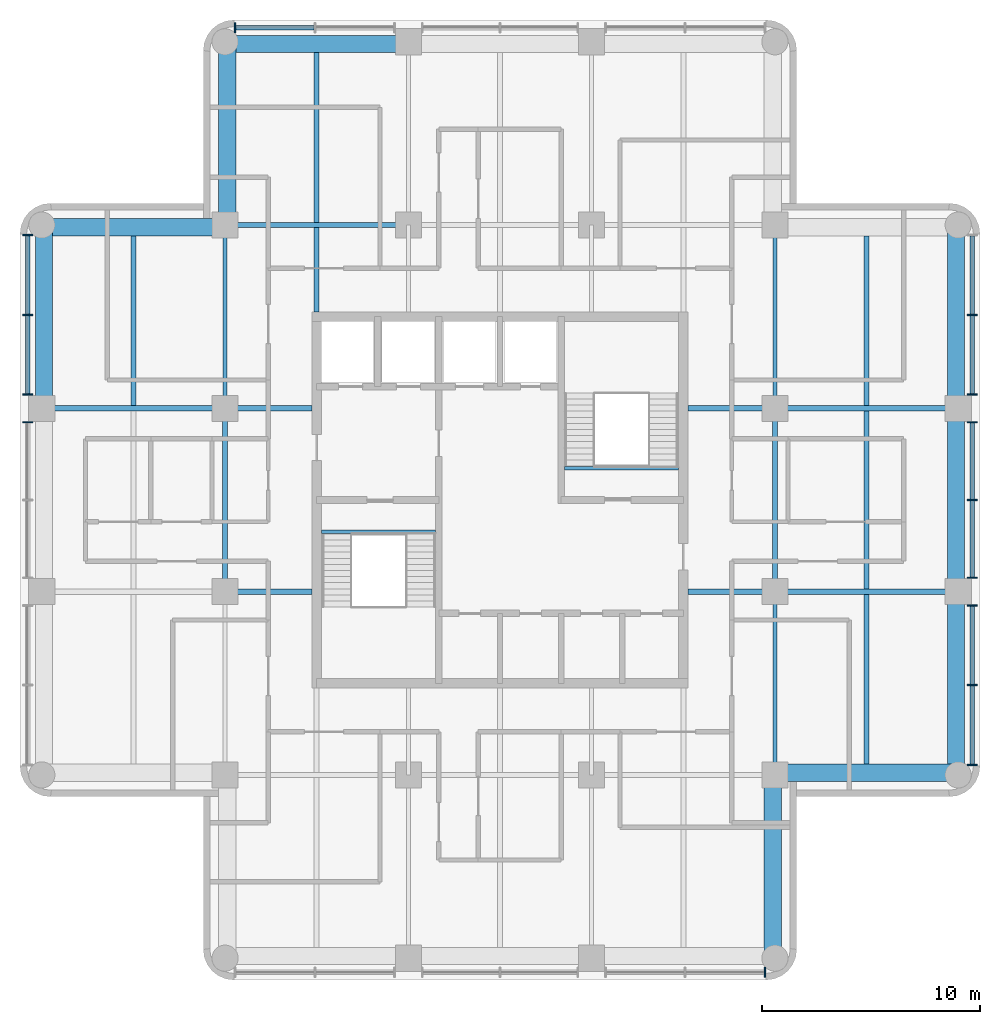
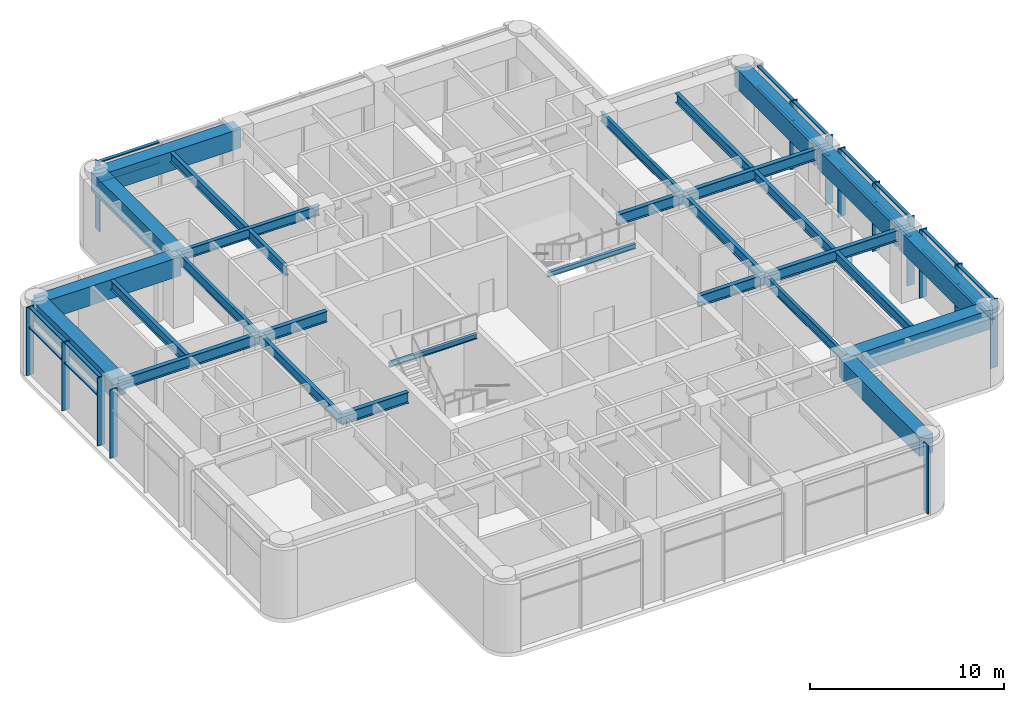
# One storey, part 2 of 8: 32 members, 30 beams, 4 elements without a shape of their own.
"""IFC4 building model written with IfcOpenShell, lengths in metres."""

from ifc_helpers import new_model, si_unit, direction, frame, origin, origin_2d, place, context, subcontext, project, spatial, rectangle, i_section, extrude, material, material_profile, profile_set, type_object, element, aggregate, save


model = new_model("IFC4")

# Units and contexts
model_context = context("Model", 3, precision=1e-05, world=origin(), true_north=direction((0.0, 1.0)))
body_context = subcontext(model_context, "Body", "Model", "MODEL_VIEW")
ifc_project = project(units=[si_unit("LENGTHUNIT", "METRE"), si_unit("AREAUNIT", "SQUARE_METRE"), si_unit("VOLUMEUNIT", "CUBIC_METRE"), si_unit("PLANEANGLEUNIT", "RADIAN"), si_unit("MASSUNIT", "GRAM", prefix="KILO")], contexts=[model_context])

# Site, building, storey
site_placement = place(None, origin())
site = spatial("IfcSite", under=ifc_project, at=site_placement, CompositionType="ELEMENT")
building_placement = place(site_placement, origin())
building = spatial("IfcBuilding", under=site, at=building_placement, Name="Torre Alcanfor", CompositionType="ELEMENT")
storey_placement = place(building_placement, frame((0.0, 0.0, 305.39990234375)))
storey = spatial("IfcBuildingStorey", under=building, at=storey_placement, Name="L80", CompositionType="ELEMENT", Elevation=305.39990234375)

# Curtain wall, members
ifc_material_1 = material(Name="Aluminium and glass", Category="aluminium")
curtain_wall_type = type_object("IfcCurtainWallType", Name="CW-E crown screen", PredefinedType="NOTDEFINED", material=ifc_material_1)
curtain_wall_1_placement = place(storey_placement, origin())
curtain_wall_1 = element("IfcCurtainWall", 1, at=curtain_wall_1_placement, inside=storey, type_object=curtain_wall_type, Name="Curtain wall CW-E L80 2", PredefinedType="NOTDEFINED")
ifc_material_2 = material(Name="Bronze anodised aluminium", Category="aluminium")
ifc_material_profile_1 = material_profile(ifc_material_2, rectangle(XDim=0.449951171875, YDim=0.06494140625, at=origin_2d()), Name="CW-E mullion 65x450")
ifc_profile_set_1 = profile_set([ifc_material_profile_1], Name="Bronze anodised aluminium")
member_type_1 = type_object("IfcMemberType", Name="CW-E mullion with vertical FIN 65x450", PredefinedType="MULLION", material=ifc_profile_set_1)
member_1_placement = place(storey_placement, frame((7.75, 41.537109375, 0.0), z_axis=(0.0, 0.0, 1.0), x_axis=(1.0, 0.0, 0.0)))
member_1 = element("IfcMember", 2, at=member_1_placement, type_object=member_type_1, Name="CW-E mullion 1.1", PredefinedType="MULLION", context=body_context, shape_type="SweptSolid", body=[
    extrude(rectangle(XDim=0.449951171875, YDim=0.06494140625, at=origin_2d()), origin(), (0.0, 0.0, 1.0), 4.300048828125),
])
member_2_placement = place(storey_placement, frame((7.75, 37.88720703125, 0.0), z_axis=(0.0, 0.0, 1.0), x_axis=(1.0, 0.0, 0.0)))
member_2 = element("IfcMember", 3, at=member_2_placement, type_object=member_type_1, Name="CW-E mullion 1.2", PredefinedType="MULLION", context=body_context, shape_type="SweptSolid", body=[
    extrude(rectangle(XDim=0.449951171875, YDim=0.06494140625, at=origin_2d()), origin(), (0.0, 0.0, 1.0), 4.300048828125),
])
member_3_placement = place(storey_placement, frame((7.75, 34.237548828125, 0.0), z_axis=(0.0, 0.0, 1.0), x_axis=(1.0, 0.0, 0.0)))
member_3 = element("IfcMember", 4, at=member_3_placement, type_object=member_type_1, Name="CW-E mullion 1.3", PredefinedType="MULLION", context=body_context, shape_type="SweptSolid", body=[
    extrude(rectangle(XDim=0.449951171875, YDim=0.06494140625, at=origin_2d()), origin(), (0.0, 0.0, 1.0), 4.300048828125),
])
member_4_placement = place(storey_placement, frame((7.75, 32.96240234375, 0.0), z_axis=(0.0, 0.0, 1.0), x_axis=(1.0, 0.0, 0.0)))
member_4 = element("IfcMember", 5, at=member_4_placement, type_object=member_type_1, Name="CW-E mullion 2.1", PredefinedType="MULLION", context=body_context, shape_type="SweptSolid", body=[
    extrude(rectangle(XDim=0.449951171875, YDim=0.06494140625, at=origin_2d()), origin(), (0.0, 0.0, 1.0), 4.300048828125),
])

# Curtain wall, member
curtain_wall_2_placement = place(storey_placement, origin())
curtain_wall_2 = element("IfcCurtainWall", 6, at=curtain_wall_2_placement, inside=storey, type_object=curtain_wall_type, Name="Curtain wall CW-E L80 5", PredefinedType="NOTDEFINED")
member_5_placement = place(storey_placement, frame((41.537109375, 7.75, 0.0), z_axis=(0.0, 0.0, 1.0), x_axis=(0.0, 1.0, 0.0)))
member_5 = element("IfcMember", 7, at=member_5_placement, type_object=member_type_1, Name="CW-E mullion 3.3", PredefinedType="MULLION", context=body_context, shape_type="SweptSolid", body=[
    extrude(rectangle(XDim=0.449951171875, YDim=0.06494140625, at=origin_2d()), origin(), (0.0, 0.0, 1.0), 4.300048828125),
])
aggregate(curtain_wall_2, [member_5])

# Curtain wall, members
curtain_wall_3_placement = place(storey_placement, origin())
curtain_wall_3 = element("IfcCurtainWall", 8, at=curtain_wall_3_placement, inside=storey, type_object=curtain_wall_type, Name="Curtain wall CW-E L80 8", PredefinedType="NOTDEFINED")
member_6_placement = place(storey_placement, frame((51.050048828125, 17.262939453125, 0.0), z_axis=(0.0, 0.0, 1.0), x_axis=(-1.0, 0.0, 0.0)))
member_6 = element("IfcMember", 9, at=member_6_placement, type_object=member_type_1, Name="CW-E mullion 1.1", PredefinedType="MULLION", context=body_context, shape_type="SweptSolid", body=[
    extrude(rectangle(XDim=0.449951171875, YDim=0.06494140625, at=origin_2d()), origin(), (0.0, 0.0, 1.0), 4.300048828125),
])
member_7_placement = place(storey_placement, frame((51.050048828125, 20.912841796875, 0.0), z_axis=(0.0, 0.0, 1.0), x_axis=(-1.0, 0.0, 0.0)))
member_7 = element("IfcMember", 10, at=member_7_placement, type_object=member_type_1, Name="CW-E mullion 1.2", PredefinedType="MULLION", context=body_context, shape_type="SweptSolid", body=[
    extrude(rectangle(XDim=0.449951171875, YDim=0.06494140625, at=origin_2d()), origin(), (0.0, 0.0, 1.0), 4.300048828125),
])
member_8_placement = place(storey_placement, frame((51.050048828125, 24.5625, 0.0), z_axis=(0.0, 0.0, 1.0), x_axis=(-1.0, 0.0, 0.0)))
member_8 = element("IfcMember", 11, at=member_8_placement, type_object=member_type_1, Name="CW-E mullion 1.3", PredefinedType="MULLION", context=body_context, shape_type="SweptSolid", body=[
    extrude(rectangle(XDim=0.449951171875, YDim=0.06494140625, at=origin_2d()), origin(), (0.0, 0.0, 1.0), 4.300048828125),
])
member_9_placement = place(storey_placement, frame((51.050048828125, 25.83740234375, 0.0), z_axis=(0.0, 0.0, 1.0), x_axis=(-1.0, 0.0, 0.0)))
member_9 = element("IfcMember", 12, at=member_9_placement, type_object=member_type_1, Name="CW-E mullion 2.1", PredefinedType="MULLION", context=body_context, shape_type="SweptSolid", body=[
    extrude(rectangle(XDim=0.449951171875, YDim=0.06494140625, at=origin_2d()), origin(), (0.0, 0.0, 1.0), 4.300048828125),
])
member_10_placement = place(storey_placement, frame((51.050048828125, 29.39990234375, 0.0), z_axis=(0.0, 0.0, 1.0), x_axis=(-1.0, 0.0, 0.0)))
member_10 = element("IfcMember", 13, at=member_10_placement, type_object=member_type_1, Name="CW-E mullion 2.2", PredefinedType="MULLION", context=body_context, shape_type="SweptSolid", body=[
    extrude(rectangle(XDim=0.449951171875, YDim=0.06494140625, at=origin_2d()), origin(), (0.0, 0.0, 1.0), 4.300048828125),
])
member_11_placement = place(storey_placement, frame((51.050048828125, 32.96240234375, 0.0), z_axis=(0.0, 0.0, 1.0), x_axis=(-1.0, 0.0, 0.0)))
member_11 = element("IfcMember", 14, at=member_11_placement, type_object=member_type_1, Name="CW-E mullion 2.3", PredefinedType="MULLION", context=body_context, shape_type="SweptSolid", body=[
    extrude(rectangle(XDim=0.449951171875, YDim=0.06494140625, at=origin_2d()), origin(), (0.0, 0.0, 1.0), 4.300048828125),
])
member_12_placement = place(storey_placement, frame((51.050048828125, 34.237548828125, 0.0), z_axis=(0.0, 0.0, 1.0), x_axis=(-1.0, 0.0, 0.0)))
member_12 = element("IfcMember", 15, at=member_12_placement, type_object=member_type_1, Name="CW-E mullion 3.1", PredefinedType="MULLION", context=body_context, shape_type="SweptSolid", body=[
    extrude(rectangle(XDim=0.449951171875, YDim=0.06494140625, at=origin_2d()), origin(), (0.0, 0.0, 1.0), 4.300048828125),
])
member_13_placement = place(storey_placement, frame((51.050048828125, 37.88720703125, 0.0), z_axis=(0.0, 0.0, 1.0), x_axis=(-1.0, 0.0, 0.0)))
member_13 = element("IfcMember", 16, at=member_13_placement, type_object=member_type_1, Name="CW-E mullion 3.2", PredefinedType="MULLION", context=body_context, shape_type="SweptSolid", body=[
    extrude(rectangle(XDim=0.449951171875, YDim=0.06494140625, at=origin_2d()), origin(), (0.0, 0.0, 1.0), 4.300048828125),
])

# Curtain wall, member
curtain_wall_4_placement = place(storey_placement, origin())
curtain_wall_4 = element("IfcCurtainWall", 17, at=curtain_wall_4_placement, inside=storey, type_object=curtain_wall_type, Name="Curtain wall CW-E L80 11", PredefinedType="NOTDEFINED")
member_14_placement = place(storey_placement, frame((17.262939453125, 51.050048828125, 0.0), z_axis=(0.0, 0.0, 1.0), x_axis=(0.0, -1.0, 0.0)))
member_14 = element("IfcMember", 18, at=member_14_placement, type_object=member_type_1, Name="CW-E mullion 3.3", PredefinedType="MULLION", context=body_context, shape_type="SweptSolid", body=[
    extrude(rectangle(XDim=0.449951171875, YDim=0.06494140625, at=origin_2d()), origin(), (0.0, 0.0, 1.0), 4.300048828125),
])

# Member
ifc_material_3 = material(Name="Extruded aluminium", Category="aluminium")
ifc_material_profile_2 = material_profile(ifc_material_3, rectangle(XDim=0.199951171875, YDim=0.06494140625, at=origin_2d()), Name="CW-E transom 200x65")
ifc_profile_set_2 = profile_set([ifc_material_profile_2], Name="Extruded aluminium")
member_type_2 = type_object("IfcMemberType", Name="CW-E transom 65x200", PredefinedType="USERDEFINED", material=ifc_profile_set_2)
member_15_placement = place(storey_placement, frame((7.75, 41.50439453125, 3.0), z_axis=(0.0, -1.0, 0.0), x_axis=(1.0, 0.0, 0.0)))
member_15 = element("IfcMember", 19, at=member_15_placement, type_object=member_type_2, Name="CW-E transom 1.1.2", ObjectType="TRANSOM", PredefinedType="USERDEFINED", context=body_context, shape_type="SweptSolid", body=[
    extrude(rectangle(XDim=0.199951171875, YDim=0.06494140625, at=origin_2d()), origin(), (0.0, 0.0, 1.0), 3.584716796875),
])

member_16_placement = place(storey_placement, frame((7.75, 41.50439453125, 4.267578125), z_axis=(0.0, -1.0, 0.0), x_axis=(1.0, 0.0, 0.0)))
member_16 = element("IfcMember", 20, at=member_16_placement, type_object=member_type_2, Name="CW-E transom 1.1.3", ObjectType="TRANSOM", PredefinedType="USERDEFINED", context=body_context, shape_type="SweptSolid", body=[
    extrude(rectangle(XDim=0.199951171875, YDim=0.06494140625, at=origin_2d()), origin(), (0.0, 0.0, 1.0), 3.584716796875),
])

member_17_placement = place(storey_placement, frame((7.75, 37.854736328125, 3.0), z_axis=(0.0, -1.0, 0.0), x_axis=(1.0, 0.0, 0.0)))
member_17 = element("IfcMember", 21, at=member_17_placement, type_object=member_type_2, Name="CW-E transom 1.2.2", ObjectType="TRANSOM", PredefinedType="USERDEFINED", context=body_context, shape_type="SweptSolid", body=[
    extrude(rectangle(XDim=0.199951171875, YDim=0.06494140625, at=origin_2d()), origin(), (0.0, 0.0, 1.0), 3.584716796875),
])

member_18_placement = place(storey_placement, frame((7.75, 37.854736328125, 4.267578125), z_axis=(0.0, -1.0, 0.0), x_axis=(1.0, 0.0, 0.0)))
member_18 = element("IfcMember", 22, at=member_18_placement, type_object=member_type_2, Name="CW-E transom 1.2.3", ObjectType="TRANSOM", PredefinedType="USERDEFINED", context=body_context, shape_type="SweptSolid", body=[
    extrude(rectangle(XDim=0.199951171875, YDim=0.06494140625, at=origin_2d()), origin(), (0.0, 0.0, 1.0), 3.584716796875),
])

aggregate(curtain_wall_1, [member_1, member_2, member_3, member_15, member_16, member_17, member_18, member_4])

member_19_placement = place(storey_placement, frame((51.050048828125, 17.29541015625, 3.0), z_axis=(0.0, 1.0, 0.0), x_axis=(-1.0, 0.0, 0.0)))
member_19 = element("IfcMember", 23, at=member_19_placement, type_object=member_type_2, Name="CW-E transom 1.1.2", ObjectType="TRANSOM", PredefinedType="USERDEFINED", context=body_context, shape_type="SweptSolid", body=[
    extrude(rectangle(XDim=0.199951171875, YDim=0.06494140625, at=origin_2d()), origin(), (0.0, 0.0, 1.0), 3.5849609375),
])

member_20_placement = place(storey_placement, frame((51.050048828125, 17.29541015625, 4.267578125), z_axis=(0.0, 1.0, 0.0), x_axis=(-1.0, 0.0, 0.0)))
member_20 = element("IfcMember", 24, at=member_20_placement, type_object=member_type_2, Name="CW-E transom 1.1.3", ObjectType="TRANSOM", PredefinedType="USERDEFINED", context=body_context, shape_type="SweptSolid", body=[
    extrude(rectangle(XDim=0.199951171875, YDim=0.06494140625, at=origin_2d()), origin(), (0.0, 0.0, 1.0), 3.5849609375),
])

member_21_placement = place(storey_placement, frame((51.050048828125, 20.9453125, 3.0), z_axis=(0.0, 1.0, 0.0), x_axis=(-1.0, 0.0, 0.0)))
member_21 = element("IfcMember", 25, at=member_21_placement, type_object=member_type_2, Name="CW-E transom 1.2.2", ObjectType="TRANSOM", PredefinedType="USERDEFINED", context=body_context, shape_type="SweptSolid", body=[
    extrude(rectangle(XDim=0.199951171875, YDim=0.06494140625, at=origin_2d()), origin(), (0.0, 0.0, 1.0), 3.584716796875),
])

member_22_placement = place(storey_placement, frame((51.050048828125, 20.9453125, 4.267578125), z_axis=(0.0, 1.0, 0.0), x_axis=(-1.0, 0.0, 0.0)))
member_22 = element("IfcMember", 26, at=member_22_placement, type_object=member_type_2, Name="CW-E transom 1.2.3", ObjectType="TRANSOM", PredefinedType="USERDEFINED", context=body_context, shape_type="SweptSolid", body=[
    extrude(rectangle(XDim=0.199951171875, YDim=0.06494140625, at=origin_2d()), origin(), (0.0, 0.0, 1.0), 3.584716796875),
])

member_23_placement = place(storey_placement, frame((51.050048828125, 25.8701171875, 3.0), z_axis=(0.0, 1.0, 0.0), x_axis=(-1.0, 0.0, 0.0)))
member_23 = element("IfcMember", 27, at=member_23_placement, type_object=member_type_2, Name="CW-E transom 2.1.2", ObjectType="TRANSOM", PredefinedType="USERDEFINED", context=body_context, shape_type="SweptSolid", body=[
    extrude(rectangle(XDim=0.199951171875, YDim=0.06494140625, at=origin_2d()), origin(), (0.0, 0.0, 1.0), 3.497314453125),
])

member_24_placement = place(storey_placement, frame((51.050048828125, 25.8701171875, 4.267578125), z_axis=(0.0, 1.0, 0.0), x_axis=(-1.0, 0.0, 0.0)))
member_24 = element("IfcMember", 28, at=member_24_placement, type_object=member_type_2, Name="CW-E transom 2.1.3", ObjectType="TRANSOM", PredefinedType="USERDEFINED", context=body_context, shape_type="SweptSolid", body=[
    extrude(rectangle(XDim=0.199951171875, YDim=0.06494140625, at=origin_2d()), origin(), (0.0, 0.0, 1.0), 3.497314453125),
])

member_25_placement = place(storey_placement, frame((51.050048828125, 29.4326171875, 3.0), z_axis=(0.0, 1.0, 0.0), x_axis=(-1.0, 0.0, 0.0)))
member_25 = element("IfcMember", 29, at=member_25_placement, type_object=member_type_2, Name="CW-E transom 2.2.2", ObjectType="TRANSOM", PredefinedType="USERDEFINED", context=body_context, shape_type="SweptSolid", body=[
    extrude(rectangle(XDim=0.199951171875, YDim=0.06494140625, at=origin_2d()), origin(), (0.0, 0.0, 1.0), 3.497314453125),
])

member_26_placement = place(storey_placement, frame((51.050048828125, 29.4326171875, 4.267578125), z_axis=(0.0, 1.0, 0.0), x_axis=(-1.0, 0.0, 0.0)))
member_26 = element("IfcMember", 30, at=member_26_placement, type_object=member_type_2, Name="CW-E transom 2.2.3", ObjectType="TRANSOM", PredefinedType="USERDEFINED", context=body_context, shape_type="SweptSolid", body=[
    extrude(rectangle(XDim=0.199951171875, YDim=0.06494140625, at=origin_2d()), origin(), (0.0, 0.0, 1.0), 3.497314453125),
])

member_27_placement = place(storey_placement, frame((51.050048828125, 34.27001953125, 3.0), z_axis=(0.0, 1.0, 0.0), x_axis=(-1.0, 0.0, 0.0)))
member_27 = element("IfcMember", 31, at=member_27_placement, type_object=member_type_2, Name="CW-E transom 3.1.2", ObjectType="TRANSOM", PredefinedType="USERDEFINED", context=body_context, shape_type="SweptSolid", body=[
    extrude(rectangle(XDim=0.199951171875, YDim=0.06494140625, at=origin_2d()), origin(), (0.0, 0.0, 1.0), 3.584716796875),
])

member_28_placement = place(storey_placement, frame((51.050048828125, 34.27001953125, 4.267578125), z_axis=(0.0, 1.0, 0.0), x_axis=(-1.0, 0.0, 0.0)))
member_28 = element("IfcMember", 32, at=member_28_placement, type_object=member_type_2, Name="CW-E transom 3.1.3", ObjectType="TRANSOM", PredefinedType="USERDEFINED", context=body_context, shape_type="SweptSolid", body=[
    extrude(rectangle(XDim=0.199951171875, YDim=0.06494140625, at=origin_2d()), origin(), (0.0, 0.0, 1.0), 3.584716796875),
])

member_29_placement = place(storey_placement, frame((51.050048828125, 37.919677734375, 3.0), z_axis=(0.0, 1.0, 0.0), x_axis=(-1.0, 0.0, 0.0)))
member_29 = element("IfcMember", 33, at=member_29_placement, type_object=member_type_2, Name="CW-E transom 3.2.2", ObjectType="TRANSOM", PredefinedType="USERDEFINED", context=body_context, shape_type="SweptSolid", body=[
    extrude(rectangle(XDim=0.199951171875, YDim=0.06494140625, at=origin_2d()), origin(), (0.0, 0.0, 1.0), 3.584716796875),
])

member_30_placement = place(storey_placement, frame((51.050048828125, 37.919677734375, 4.267578125), z_axis=(0.0, 1.0, 0.0), x_axis=(-1.0, 0.0, 0.0)))
member_30 = element("IfcMember", 34, at=member_30_placement, type_object=member_type_2, Name="CW-E transom 3.2.3", ObjectType="TRANSOM", PredefinedType="USERDEFINED", context=body_context, shape_type="SweptSolid", body=[
    extrude(rectangle(XDim=0.199951171875, YDim=0.06494140625, at=origin_2d()), origin(), (0.0, 0.0, 1.0), 3.584716796875),
])

aggregate(curtain_wall_3, [member_6, member_7, member_8, member_19, member_20, member_21, member_22, member_9, member_10, member_11, member_23, member_24, member_25, member_26, member_12, member_13, member_27, member_28, member_29, member_30])

member_31_placement = place(storey_placement, frame((20.88037109375, 51.050048828125, 3.0), z_axis=(-1.0, 0.0, 0.0), x_axis=(0.0, -1.0, 0.0)))
member_31 = element("IfcMember", 35, at=member_31_placement, type_object=member_type_2, Name="CW-E transom 3.2.2", ObjectType="TRANSOM", PredefinedType="USERDEFINED", context=body_context, shape_type="SweptSolid", body=[
    extrude(rectangle(XDim=0.199951171875, YDim=0.06494140625, at=origin_2d()), origin(), (0.0, 0.0, 1.0), 3.5849609375),
])

member_32_placement = place(storey_placement, frame((20.88037109375, 51.050048828125, 4.267578125), z_axis=(-1.0, 0.0, 0.0), x_axis=(0.0, -1.0, 0.0)))
member_32 = element("IfcMember", 36, at=member_32_placement, type_object=member_type_2, Name="CW-E transom 3.2.3", ObjectType="TRANSOM", PredefinedType="USERDEFINED", context=body_context, shape_type="SweptSolid", body=[
    extrude(rectangle(XDim=0.199951171875, YDim=0.06494140625, at=origin_2d()), origin(), (0.0, 0.0, 1.0), 3.5849609375),
])

aggregate(curtain_wall_4, [member_14, member_31, member_32])

# Beams
ifc_material_4 = material(Name="Steel ASTM A992 Grade 50", Category="steel")
ifc_material_profile_3 = material_profile(ifc_material_4, i_section(OverallWidth=0.177978515625, OverallDepth=0.599365234375, WebThickness=0.010009765625, FlangeThickness=0.012939453125, at=origin_2d()), Name="W24x55")
ifc_profile_set_3 = profile_set([ifc_material_profile_3], Name="Steel ASTM A992 Grade 50")
beam_type_1 = type_object("IfcBeamType", Name="Girder W24x55", PredefinedType="BEAM", material=ifc_profile_set_3)
for number, where, z_axis, x_axis, name in (
    (37, (16.800048828125, 33.60009765625, 4.00048828125), (0.0, 1.0, 0.0), (-1.0, 0.0, 0.0), "Beam 3G-3H under RF"),
    (38, (42.0, 16.800048828125, 4.00048828125), (0.0, 1.0, 0.0), (-1.0, 0.0, 0.0), "Beam 6E-6F under RF"),
    (39, (42.0, 33.60009765625, 4.00048828125), (0.0, 1.0, 0.0), (-1.0, 0.0, 0.0), "Beam 6G-6H under RF"),
):
    element("IfcBeam", number, at=place(storey_placement, frame(where, z_axis=z_axis, x_axis=x_axis)), inside=storey, type_object=beam_type_1, Name=name, PredefinedType="BEAM", context=body_context, shape_type="SweptSolid", body=[
        extrude(i_section(OverallWidth=0.177978515625, OverallDepth=0.599365234375, WebThickness=0.010009765625, FlangeThickness=0.012939453125, at=origin_2d()), origin(), (0.0, 0.0, 1.0), 8.39990234375),
    ])
ifc_material_5 = material(Name="Steel ASTM A992 Grade 50", Category="steel")
ifc_material_profile_4 = material_profile(ifc_material_5, i_section(OverallWidth=0.228271484375, OverallDepth=0.607177734375, WebThickness=0.01123046875, FlangeThickness=0.017333984375, at=origin_2d()), Name="W24x76")
ifc_profile_set_4 = profile_set([ifc_material_profile_4], Name="Steel ASTM A992 Grade 50")
beam_type_2 = type_object("IfcBeamType", Name="Girder W24x76", PredefinedType="BEAM", material=ifc_profile_set_4)
beam_1_placement = place(storey_placement, frame((16.800048828125, 42.0, 3.99658203125), z_axis=(1.0, 0.0, 0.0), x_axis=(0.0, 1.0, 0.0)))
element("IfcBeam", 40, at=beam_1_placement, inside=storey, type_object=beam_type_2, Name="Beam 3H-4H under RF", PredefinedType="BEAM", context=body_context, shape_type="SweptSolid", body=[
    extrude(i_section(OverallWidth=0.228271484375, OverallDepth=0.607177734375, WebThickness=0.01123046875, FlangeThickness=0.017333984375, at=origin_2d()), origin(), (0.0, 0.0, 1.0), 8.39990234375),
])
for number, where, z_axis, x_axis, name in (
    (41, (16.800048828125, 25.199951171875, 3.99658203125), (0.0, 1.0, 0.0), (-1.0, 0.0, 0.0), "Beam 3F-3G under RF"),
    (42, (42.0, 25.199951171875, 3.99658203125), (0.0, 1.0, 0.0), (-1.0, 0.0, 0.0), "Beam 6F-6G under RF"),
):
    element("IfcBeam", number, at=place(storey_placement, frame(where, z_axis=z_axis, x_axis=x_axis)), inside=storey, type_object=beam_type_2, Name=name, PredefinedType="BEAM", context=body_context, shape_type="SweptSolid", body=[
        extrude(i_section(OverallWidth=0.228271484375, OverallDepth=0.607177734375, WebThickness=0.01123046875, FlangeThickness=0.017333984375, at=origin_2d()), origin(), (0.0, 0.0, 1.0), 8.400146484375),
    ])
ifc_material_6 = material(Name="Steel ASTM A992 Grade 50", Category="steel")
ifc_material_profile_5 = material_profile(ifc_material_6, i_section(OverallWidth=0.25390625, OverallDepth=0.683349609375, WebThickness=0.012451171875, FlangeThickness=0.01904296875, at=origin_2d()), Name="W27x94")
ifc_profile_set_5 = profile_set([ifc_material_profile_5], Name="Steel ASTM A992 Grade 50")
beam_type_3 = type_object("IfcBeamType", Name="Girder W27x94", PredefinedType="BEAM", material=ifc_profile_set_5)
beam_2_placement = place(storey_placement, frame((42.0, 25.199951171875, 3.95849609375), z_axis=(1.0, 0.0, 0.0), x_axis=(0.0, 1.0, 0.0)))
element("IfcBeam", 43, at=beam_2_placement, inside=storey, type_object=beam_type_3, Name="Beam 6F-7F under RF", PredefinedType="BEAM", context=body_context, shape_type="SweptSolid", body=[
    extrude(i_section(OverallWidth=0.25390625, OverallDepth=0.683349609375, WebThickness=0.012451171875, FlangeThickness=0.01904296875, at=origin_2d()), origin(), (0.0, 0.0, 1.0), 8.39990234375),
])
beam_3_placement = place(storey_placement, frame((8.39990234375, 33.60009765625, 3.95849609375), z_axis=(1.0, 0.0, 0.0), x_axis=(0.0, 1.0, 0.0)))
element("IfcBeam", 44, at=beam_3_placement, inside=storey, type_object=beam_type_3, Name="Beam 2G-3G under RF", PredefinedType="BEAM", context=body_context, shape_type="SweptSolid", body=[
    extrude(i_section(OverallWidth=0.25390625, OverallDepth=0.683349609375, WebThickness=0.012451171875, FlangeThickness=0.01904296875, at=origin_2d()), origin(), (0.0, 0.0, 1.0), 8.400146484375),
])
beam_4_placement = place(storey_placement, frame((42.0, 33.60009765625, 3.95849609375), z_axis=(1.0, 0.0, 0.0), x_axis=(0.0, 1.0, 0.0)))
element("IfcBeam", 45, at=beam_4_placement, inside=storey, type_object=beam_type_3, Name="Beam 6G-7G under RF", PredefinedType="BEAM", context=body_context, shape_type="SweptSolid", body=[
    extrude(i_section(OverallWidth=0.25390625, OverallDepth=0.683349609375, WebThickness=0.012451171875, FlangeThickness=0.01904296875, at=origin_2d()), origin(), (0.0, 0.0, 1.0), 8.39990234375),
])
ifc_material_7 = material(Name="Steel ASTM A992 Grade 50", Category="steel")
ifc_material_profile_6 = material_profile(ifc_material_7, i_section(OverallWidth=0.25390625, OverallDepth=0.683349609375, WebThickness=0.012451171875, FlangeThickness=0.01904296875, at=origin_2d()), Name="W27x94")
ifc_profile_set_6 = profile_set([ifc_material_profile_6], Name="Steel ASTM A992 Grade 50")
beam_type_4 = type_object("IfcBeamType", Name="Girder, part bay W27x94", PredefinedType="BEAM", material=ifc_profile_set_6)
beam_5_placement = place(storey_placement, frame((16.800048828125, 25.199951171875, 3.95849609375), z_axis=(1.0, 0.0, 0.0), x_axis=(0.0, 1.0, 0.0)))
element("IfcBeam", 46, at=beam_5_placement, inside=storey, type_object=beam_type_4, Name="Beam 3F-20_775F under RF", PredefinedType="BEAM", context=body_context, shape_type="SweptSolid", body=[
    extrude(i_section(OverallWidth=0.25390625, OverallDepth=0.683349609375, WebThickness=0.012451171875, FlangeThickness=0.01904296875, at=origin_2d()), origin(), (0.0, 0.0, 1.0), 3.974853515625),
])
beam_6_placement = place(storey_placement, frame((42.0, 25.199951171875, 3.95849609375), z_axis=(-1.0, 0.0, 0.0), x_axis=(0.0, -1.0, 0.0)))
element("IfcBeam", 47, at=beam_6_placement, inside=storey, type_object=beam_type_4, Name="Beam 6F-38_025F under RF", PredefinedType="BEAM", context=body_context, shape_type="SweptSolid", body=[
    extrude(i_section(OverallWidth=0.25390625, OverallDepth=0.683349609375, WebThickness=0.012451171875, FlangeThickness=0.01904296875, at=origin_2d()), origin(), (0.0, 0.0, 1.0), 3.97509765625),
])
beam_7_placement = place(storey_placement, frame((16.800048828125, 33.60009765625, 3.95849609375), z_axis=(1.0, 0.0, 0.0), x_axis=(0.0, 1.0, 0.0)))
element("IfcBeam", 48, at=beam_7_placement, inside=storey, type_object=beam_type_4, Name="Beam 3G-20_775G under RF", PredefinedType="BEAM", context=body_context, shape_type="SweptSolid", body=[
    extrude(i_section(OverallWidth=0.25390625, OverallDepth=0.683349609375, WebThickness=0.012451171875, FlangeThickness=0.01904296875, at=origin_2d()), origin(), (0.0, 0.0, 1.0), 3.974853515625),
])
beam_8_placement = place(storey_placement, frame((42.0, 33.60009765625, 3.95849609375), z_axis=(-1.0, 0.0, 0.0), x_axis=(0.0, -1.0, 0.0)))
element("IfcBeam", 49, at=beam_8_placement, inside=storey, type_object=beam_type_4, Name="Beam 6G-38_025G under RF", PredefinedType="BEAM", context=body_context, shape_type="SweptSolid", body=[
    extrude(i_section(OverallWidth=0.25390625, OverallDepth=0.683349609375, WebThickness=0.012451171875, FlangeThickness=0.01904296875, at=origin_2d()), origin(), (0.0, 0.0, 1.0), 3.97509765625),
])
ifc_material_8 = material(Name="Concrete f'c 70 MPa", Category="concrete")
ifc_material_profile_7 = material_profile(ifc_material_8, rectangle(XDim=0.800048828125, YDim=1.199951171875, at=origin_2d()), Name="800x1200")
ifc_profile_set_7 = profile_set([ifc_material_profile_7], Name="Concrete f'c 70 MPa")
beam_type_5 = type_object("IfcBeamType", Name="RC perimeter beam 800x1200", PredefinedType="BEAM", material=ifc_profile_set_7)
beam_9_placement = place(storey_placement, frame((42.089111328125, 16.89990234375, 3.7001953125), z_axis=(1.0, 0.0, 0.0), x_axis=(0.0, 1.0, 0.0)))
element("IfcBeam", 50, at=beam_9_placement, inside=storey, type_object=beam_type_5, Name="Beam 6E-7E under RF", PredefinedType="BEAM", context=body_context, shape_type="SweptSolid", body=[
    extrude(rectangle(XDim=0.800048828125, YDim=1.199951171875, at=origin_2d()), origin(), (0.0, 0.0, 1.0), 8.310791015625),
])
for number, where, z_axis, x_axis, name in (
    (51, (8.39990234375, 41.89990234375, 3.7001953125), (1.0, 0.0, 0.0), (0.0, 1.0, 0.0), "Beam 2H-3H under RF"),
    (52, (16.800048828125, 50.300048828125, 3.7001953125), (1.0, 0.0, 0.0), (0.0, 1.0, 0.0), "Beam 3J-4J under RF"),
):
    element("IfcBeam", number, at=place(storey_placement, frame(where, z_axis=z_axis, x_axis=x_axis)), inside=storey, type_object=beam_type_5, Name=name, PredefinedType="BEAM", context=body_context, shape_type="SweptSolid", body=[
        extrude(rectangle(XDim=0.800048828125, YDim=1.199951171875, at=origin_2d()), origin(), (0.0, 0.0, 1.0), 8.31103515625),
    ])
beam_10_placement = place(storey_placement, frame((8.5, 33.72705078125, 3.7001953125), z_axis=(0.0, 1.0, 0.0), x_axis=(-1.0, 0.0, 0.0)))
element("IfcBeam", 53, at=beam_10_placement, inside=storey, type_object=beam_type_5, Name="Beam 2G-2H under RF", PredefinedType="BEAM", context=body_context, shape_type="SweptSolid", body=[
    extrude(rectangle(XDim=0.800048828125, YDim=1.199951171875, at=origin_2d()), origin(), (0.0, 0.0, 1.0), 8.27294921875),
])
beam_11_placement = place(storey_placement, frame((16.89990234375, 42.114013671875, 3.7001953125), z_axis=(0.0, 1.0, 0.0), x_axis=(-1.0, 0.0, 0.0)))
element("IfcBeam", 54, at=beam_11_placement, inside=storey, type_object=beam_type_5, Name="Beam 3H-3J under RF", PredefinedType="BEAM", context=body_context, shape_type="SweptSolid", body=[
    extrude(rectangle(XDim=0.800048828125, YDim=1.199951171875, at=origin_2d()), origin(), (0.0, 0.0, 1.0), 8.285888671875),
])
beam_12_placement = place(storey_placement, frame((41.89990234375, 8.39990234375, 3.7001953125), z_axis=(0.0, 1.0, 0.0), x_axis=(-1.0, 0.0, 0.0)))
element("IfcBeam", 55, at=beam_12_placement, inside=storey, type_object=beam_type_5, Name="Beam 6D-6E under RF", PredefinedType="BEAM", context=body_context, shape_type="SweptSolid", body=[
    extrude(rectangle(XDim=0.800048828125, YDim=1.199951171875, at=origin_2d()), origin(), (0.0, 0.0, 1.0), 8.2861328125),
])
beam_13_placement = place(storey_placement, frame((50.300048828125, 16.800048828125, 3.7001953125), z_axis=(0.0, 1.0, 0.0), x_axis=(-1.0, 0.0, 0.0)))
element("IfcBeam", 56, at=beam_13_placement, inside=storey, type_object=beam_type_5, Name="Beam 7E-7F under RF", PredefinedType="BEAM", context=body_context, shape_type="SweptSolid", body=[
    extrude(rectangle(XDim=0.800048828125, YDim=1.199951171875, at=origin_2d()), origin(), (0.0, 0.0, 1.0), 8.27294921875),
])
beam_14_placement = place(storey_placement, frame((50.300048828125, 25.326904296875, 3.7001953125), z_axis=(0.0, 1.0, 0.0), x_axis=(-1.0, 0.0, 0.0)))
element("IfcBeam", 57, at=beam_14_placement, inside=storey, type_object=beam_type_5, Name="Beam 7F-7G under RF", PredefinedType="BEAM", context=body_context, shape_type="SweptSolid", body=[
    extrude(rectangle(XDim=0.800048828125, YDim=1.199951171875, at=origin_2d()), origin(), (0.0, 0.0, 1.0), 8.14599609375),
])
beam_15_placement = place(storey_placement, frame((50.300048828125, 33.72705078125, 3.7001953125), z_axis=(0.0, 1.0, 0.0), x_axis=(-1.0, 0.0, 0.0)))
element("IfcBeam", 58, at=beam_15_placement, inside=storey, type_object=beam_type_5, Name="Beam 7G-7H under RF", PredefinedType="BEAM", context=body_context, shape_type="SweptSolid", body=[
    extrude(rectangle(XDim=0.800048828125, YDim=1.199951171875, at=origin_2d()), origin(), (0.0, 0.0, 1.0), 8.27294921875),
])
ifc_material_9 = material(Name="Steel ASTM A992 Grade 50", Category="steel")
ifc_material_profile_8 = material_profile(ifc_material_9, i_section(OverallWidth=0.227783203125, OverallDepth=0.60205078125, WebThickness=0.010498046875, FlangeThickness=0.014892578125, at=origin_2d()), Name="W24x68")
ifc_profile_set_8 = profile_set([ifc_material_profile_8], Name="Steel ASTM A992 Grade 50")
beam_type_6 = type_object("IfcBeamType", Name="Secondary beam W24x68", PredefinedType="BEAM", material=ifc_profile_set_8)
beam_16_placement = place(storey_placement, frame((12.60009765625, 33.72705078125, 3.9990234375), z_axis=(0.0, 1.0, 0.0), x_axis=(-1.0, 0.0, 0.0)))
element("IfcBeam", 59, at=beam_16_placement, inside=storey, type_object=beam_type_6, Name="Beam 12_6G-12_6H under RF", PredefinedType="BEAM", context=body_context, shape_type="SweptSolid", body=[
    extrude(i_section(OverallWidth=0.227783203125, OverallDepth=0.60205078125, WebThickness=0.010498046875, FlangeThickness=0.014892578125, at=origin_2d()), origin(), (0.0, 0.0, 1.0), 7.77294921875),
])
beam_17_placement = place(storey_placement, frame((21.0, 42.114013671875, 3.9990234375), z_axis=(0.0, 1.0, 0.0), x_axis=(-1.0, 0.0, 0.0)))
element("IfcBeam", 60, at=beam_17_placement, inside=storey, type_object=beam_type_6, Name="Beam 21H-21J under RF", PredefinedType="BEAM", context=body_context, shape_type="SweptSolid", body=[
    extrude(i_section(OverallWidth=0.227783203125, OverallDepth=0.60205078125, WebThickness=0.010498046875, FlangeThickness=0.014892578125, at=origin_2d()), origin(), (0.0, 0.0, 1.0), 7.785888671875),
])
beam_18_placement = place(storey_placement, frame((46.199951171875, 17.300048828125, 3.9990234375), z_axis=(0.0, 1.0, 0.0), x_axis=(-1.0, 0.0, 0.0)))
element("IfcBeam", 61, at=beam_18_placement, inside=storey, type_object=beam_type_6, Name="Beam 46_2E-46_2F under RF", PredefinedType="BEAM", context=body_context, shape_type="SweptSolid", body=[
    extrude(i_section(OverallWidth=0.227783203125, OverallDepth=0.60205078125, WebThickness=0.010498046875, FlangeThickness=0.014892578125, at=origin_2d()), origin(), (0.0, 0.0, 1.0), 7.77294921875),
])
beam_19_placement = place(storey_placement, frame((46.199951171875, 25.326904296875, 3.9990234375), z_axis=(0.0, 1.0, 0.0), x_axis=(-1.0, 0.0, 0.0)))
element("IfcBeam", 62, at=beam_19_placement, inside=storey, type_object=beam_type_6, Name="Beam 46_2F-46_2G under RF", PredefinedType="BEAM", context=body_context, shape_type="SweptSolid", body=[
    extrude(i_section(OverallWidth=0.227783203125, OverallDepth=0.60205078125, WebThickness=0.010498046875, FlangeThickness=0.014892578125, at=origin_2d()), origin(), (0.0, 0.0, 1.0), 8.14599609375),
])
beam_20_placement = place(storey_placement, frame((46.199951171875, 33.72705078125, 3.9990234375), z_axis=(0.0, 1.0, 0.0), x_axis=(-1.0, 0.0, 0.0)))
element("IfcBeam", 63, at=beam_20_placement, inside=storey, type_object=beam_type_6, Name="Beam 46_2G-46_2H under RF", PredefinedType="BEAM", context=body_context, shape_type="SweptSolid", body=[
    extrude(i_section(OverallWidth=0.227783203125, OverallDepth=0.60205078125, WebThickness=0.010498046875, FlangeThickness=0.014892578125, at=origin_2d()), origin(), (0.0, 0.0, 1.0), 7.77294921875),
])
ifc_material_10 = material(Name="Steel ASTM A992 Grade 50", Category="steel")
ifc_material_profile_9 = material_profile(ifc_material_10, i_section(OverallWidth=0.227783203125, OverallDepth=0.60205078125, WebThickness=0.010498046875, FlangeThickness=0.014892578125, at=origin_2d()), Name="W24x68")
ifc_profile_set_9 = profile_set([ifc_material_profile_9], Name="Steel ASTM A992 Grade 50")
beam_type_7 = type_object("IfcBeamType", Name="Secondary beam, part bay W24x68", PredefinedType="BEAM", material=ifc_profile_set_9)
beam_21_placement = place(storey_placement, frame((21.0, 38.02490234375, 3.9990234375), z_axis=(0.0, 1.0, 0.0), x_axis=(-1.0, 0.0, 0.0)))
element("IfcBeam", 64, at=beam_21_placement, inside=storey, type_object=beam_type_7, Name="Beam 2138_025-21H under RF", PredefinedType="BEAM", context=body_context, shape_type="SweptSolid", body=[
    extrude(i_section(OverallWidth=0.227783203125, OverallDepth=0.60205078125, WebThickness=0.010498046875, FlangeThickness=0.014892578125, at=origin_2d()), origin(), (0.0, 0.0, 1.0), 3.861083984375),
])
ifc_material_11 = material(Name="Steel ASTM A992 Grade 50", Category="steel")
ifc_material_profile_10 = material_profile(ifc_material_11, i_section(OverallWidth=0.164794921875, OverallDepth=0.309814453125, WebThickness=0.005859375, FlangeThickness=0.009765625, at=origin_2d()), Name="W12x26")
ifc_profile_set_10 = profile_set([ifc_material_profile_10], Name="Steel ASTM A992 Grade 50")
beam_type_8 = type_object("IfcBeamType", Name="Stair landing beam W12x26", PredefinedType="BEAM", material=ifc_profile_set_10)
for number, where, z_axis, x_axis, name in (
    (65, (21.22509765625, 27.9375, 4.145263671875), (1.0, 0.0, 0.0), (0.0, 1.0, 0.0), "Landing trimmer S1 RF"),
    (66, (32.35009765625, 30.862548828125, 4.145263671875), (1.0, 0.0, 0.0), (0.0, 1.0, 0.0), "Landing trimmer S2 RF"),
):
    element("IfcBeam", number, at=place(storey_placement, frame(where, z_axis=z_axis, x_axis=x_axis)), inside=storey, type_object=beam_type_8, Name=name, PredefinedType="BEAM", context=body_context, shape_type="SweptSolid", body=[
        extrude(i_section(OverallWidth=0.164794921875, OverallDepth=0.309814453125, WebThickness=0.005859375, FlangeThickness=0.009765625, at=origin_2d()), origin(), (0.0, 0.0, 1.0), 5.224853515625),
    ])

save(model, "model.ifc")
